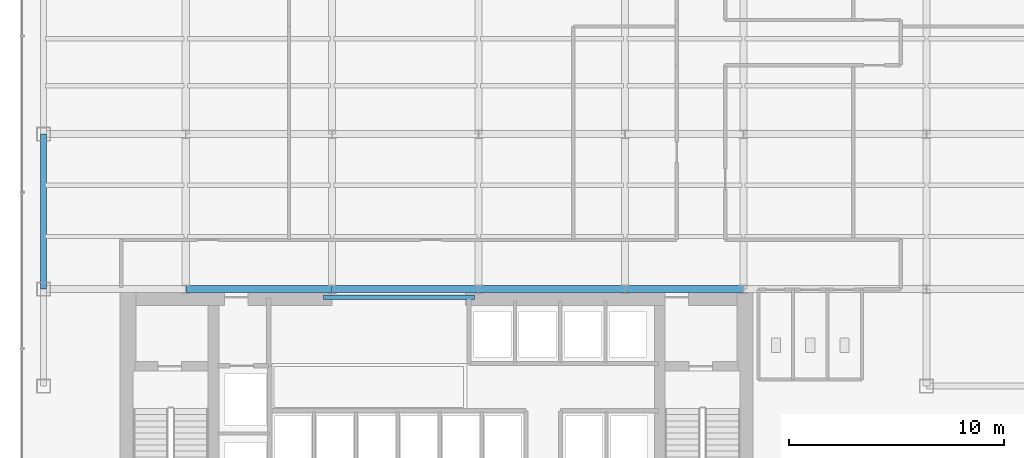
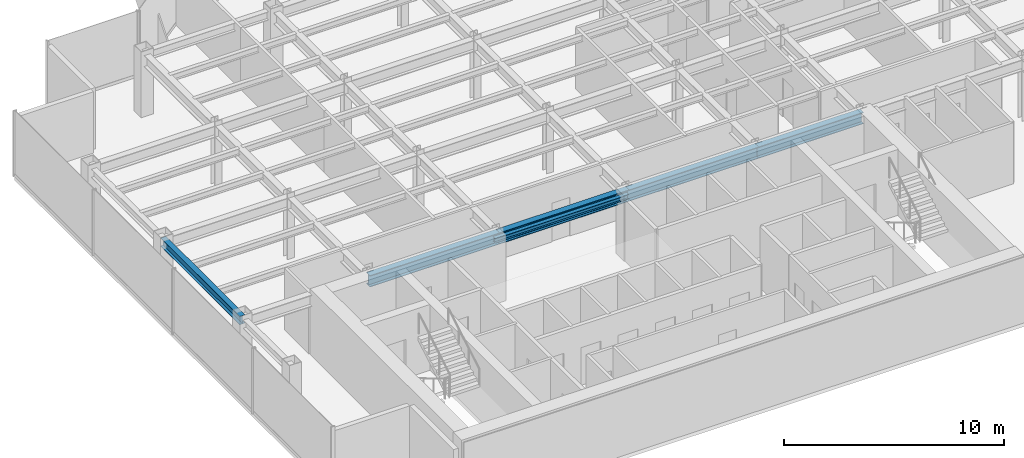
# One storey, part 4 of 25: 6 beams.
"""IFC4 building model written with IfcOpenShell, lengths in metres."""

from ifc_helpers import new_model, si_unit, derived_unit, direction, frame, origin, origin_2d, place, context, subcontext, project, spatial, i_section, extrude, source, transform, mapped, material, material_profile, profile_set, type_object, element, save


model = new_model("IFC4")

# Units and contexts
model_context = context("Model", 3, precision=1e-05, world=origin(), true_north=direction((0.0, 1.0)))
body_context = subcontext(model_context, "Body", "Model", "MODEL_VIEW")
ifc_project = project(units=[si_unit("LENGTHUNIT", "METRE"), si_unit("AREAUNIT", "SQUARE_METRE"), si_unit("VOLUMEUNIT", "CUBIC_METRE"), si_unit("PLANEANGLEUNIT", "RADIAN"), si_unit("MASSUNIT", "GRAM", prefix="KILO"), derived_unit("THERMALTRANSMITTANCEUNIT", [(si_unit("POWERUNIT", "WATT"), 1), (si_unit("LENGTHUNIT", "METRE"), -2), (si_unit("THERMODYNAMICTEMPERATUREUNIT", "KELVIN"), -1)])], contexts=[model_context])

# Site, building, storey
site_placement = place(None, origin())
site = spatial("IfcSite", under=ifc_project, at=site_placement, CompositionType="ELEMENT")
building_placement = place(site_placement, origin())
building = spatial("IfcBuilding", under=site, at=building_placement, Name="Skarnbrae Concourse Arena and Tower", CompositionType="ELEMENT")
storey_placement = place(building_placement, frame((0.0, 0.0, 166.14990234375)))
storey = spatial("IfcBuildingStorey", under=building, at=storey_placement, Name="L42", CompositionType="ELEMENT", Elevation=166.14990234375)

# Beams
ifc_material = material(Name="Steel CSA G40.21 350W", Category="steel")
ifc_material_profile_1 = material_profile(ifc_material, i_section(OverallWidth=0.202880859375, OverallDepth=0.251953125, WebThickness=0.008056640625, FlangeThickness=0.013427734375, at=origin_2d()), Name="W250X58")
ifc_profile_set_1 = profile_set([ifc_material_profile_1], Name="Steel CSA G40.21 350W")
beam_type_1 = type_object("IfcBeamType", Name="BM-LINTEL-W250X58", PredefinedType="LINTEL", material=ifc_profile_set_1)
shared_shape_1 = source(origin(), body_context, "Body", "SweptSolid", [
    extrude(i_section(OverallWidth=0.202880859375, OverallDepth=0.251953125, WebThickness=0.008056640625, FlangeThickness=0.013427734375, at=origin_2d()), origin(), (0.0, 0.0, 1.0), 7.0),
])
beam_1_placement = place(storey_placement, frame((14.0, 13.625, 3.274169921875), z_axis=(1.0, 0.0, 0.0), x_axis=(0.0, 1.0, 0.0)))
element("IfcBeam", 1, at=beam_1_placement, inside=storey, type_object=beam_type_1, Name="L42 Core portal coupling lintel", PredefinedType="LINTEL", context=body_context, shape_type="MappedRepresentation", body=[
    mapped(shared_shape_1, transform((0.0, 0.0, 0.0))),
])
ifc_material_profile_2 = material_profile(ifc_material, i_section(OverallWidth=0.3291015625, OverallDepth=0.635009765625, WebThickness=0.017822265625, FlangeThickness=0.031005859375, at=origin_2d()), Name="W610X241")
ifc_profile_set_2 = profile_set([ifc_material_profile_2], Name="Steel CSA G40.21 350W")
beam_type_2 = type_object("IfcBeamType", Name="BM-GIRD-W610X241", PredefinedType="BEAM", material=ifc_profile_set_2)
shared_shape_2 = source(origin(), body_context, "Body", "SweptSolid", [
    extrude(i_section(OverallWidth=0.3291015625, OverallDepth=0.635009765625, WebThickness=0.017822265625, FlangeThickness=0.031005859375, at=origin_2d()), origin(), (0.0, 0.0, 1.0), 6.7998046875),
])
beam_2_placement = place(storey_placement, frame((7.60009765625, 14.0, 3.08251953125), z_axis=(1.0, 0.0, 0.0), x_axis=(0.0, 1.0, 0.0)))
element("IfcBeam", 2, at=beam_2_placement, inside=storey, type_object=beam_type_2, Name="L42 Primary E-W girder Y14.0-2", PredefinedType="BEAM", context=body_context, shape_type="MappedRepresentation", body=[
    mapped(shared_shape_2, transform((0.0, 0.0, 0.0))),
])
shared_shape_3 = source(origin(), body_context, "Body", "SweptSolid", [
    extrude(i_section(OverallWidth=0.3291015625, OverallDepth=0.635009765625, WebThickness=0.017822265625, FlangeThickness=0.031005859375, at=origin_2d()), origin(), (0.0, 0.0, 1.0), 6.800048828125),
])
for number, where, z_axis, x_axis, name in (
    (3, (14.39990234375, 14.0, 3.08251953125), (1.0, 0.0, 0.0), (0.0, 1.0, 0.0), "L42 Primary E-W girder Y14.0-3"),
    (4, (21.199951171875, 14.0, 3.08251953125), (1.0, 0.0, 0.0), (0.0, 1.0, 0.0), "L42 Primary E-W girder Y14.0-4"),
):
    element("IfcBeam", number, at=place(storey_placement, frame(where, z_axis=z_axis, x_axis=x_axis)), inside=storey, type_object=beam_type_2, Name=name, PredefinedType="BEAM", context=body_context, shape_type="MappedRepresentation", body=[
        mapped(shared_shape_3, transform((0.0, 0.0, 0.0))),
    ])
shared_shape_4 = source(origin(), body_context, "Body", "SweptSolid", [
    extrude(i_section(OverallWidth=0.3291015625, OverallDepth=0.635009765625, WebThickness=0.017822265625, FlangeThickness=0.031005859375, at=origin_2d()), origin(), (0.0, 0.0, 1.0), 5.5),
])
beam_3_placement = place(storey_placement, frame((28.0, 14.0, 3.08251953125), z_axis=(1.0, 0.0, 0.0), x_axis=(0.0, 1.0, 0.0)))
element("IfcBeam", 5, at=beam_3_placement, inside=storey, type_object=beam_type_2, Name="L42 Primary E-W girder Y14.0-5", PredefinedType="BEAM", context=body_context, shape_type="MappedRepresentation", body=[
    mapped(shared_shape_4, transform((0.0, 0.0, 0.0))),
])
ifc_material_profile_3 = material_profile(ifc_material, i_section(OverallWidth=0.280029296875, OverallDepth=0.462890625, WebThickness=0.0107421875, FlangeThickness=0.017333984375, at=origin_2d()), Name="W460X113")
ifc_profile_set_3 = profile_set([ifc_material_profile_3], Name="Steel CSA G40.21 350W")
beam_type_3 = type_object("IfcBeamType", Name="BM-SPAN-W460X113", PredefinedType="SPANDREL", material=ifc_profile_set_3)
shared_shape_5 = source(origin(), body_context, "Body", "SweptSolid", [
    extrude(i_section(OverallWidth=0.280029296875, OverallDepth=0.462890625, WebThickness=0.0107421875, FlangeThickness=0.017333984375, at=origin_2d()), origin(), (0.0, 0.0, 1.0), 7.199951171875),
])
beam_4_placement = place(storey_placement, frame((1.0, 14.0, 3.168701171875), z_axis=(0.0, 1.0, 0.0), x_axis=(-1.0, 0.0, 0.0)))
element("IfcBeam", 6, at=beam_4_placement, inside=storey, type_object=beam_type_3, Name="L42 Perimeter spandrel X1.0-2", PredefinedType="SPANDREL", context=body_context, shape_type="MappedRepresentation", body=[
    mapped(shared_shape_5, transform((0.0, 0.0, 0.0))),
])

save(model, "model.ifc")
